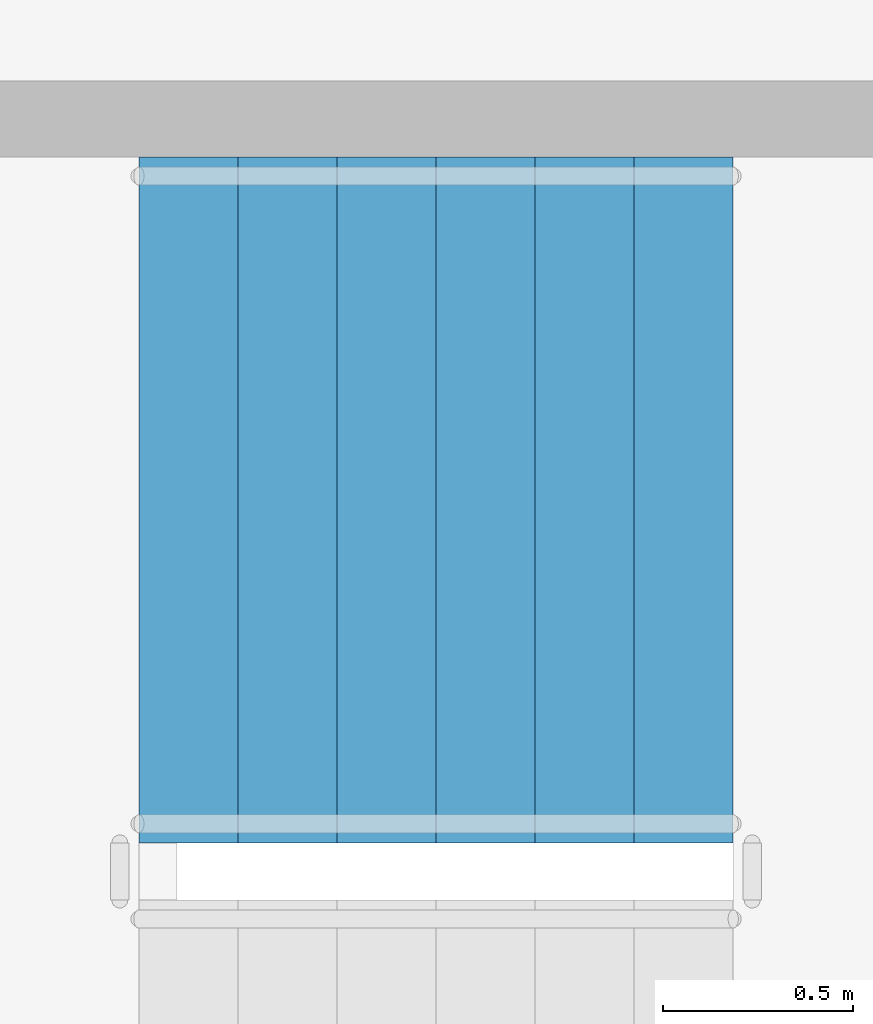
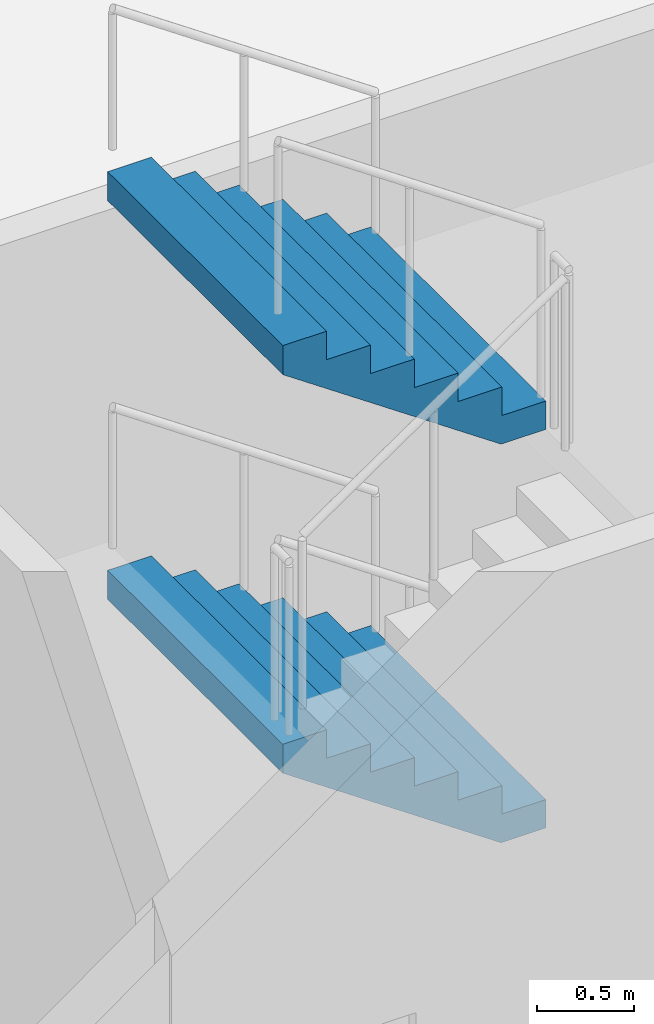
# One storey, part 29 of 59: 2 stair flights, 1 element without a shape of its own.
"""IFC4 building model written with IfcOpenShell, lengths in metres."""

from ifc_helpers import new_model, si_unit, direction, frame, origin, place, context, subcontext, project, spatial, faceted_brep, material, type_object, element, aggregate, save


model = new_model("IFC4")

# Units and contexts
model_context = context("Model", 3, precision=1e-05, world=origin(), true_north=direction((0.0, 1.0)))
body_context = subcontext(model_context, "Body", "Model", "MODEL_VIEW")
ifc_project = project(units=[si_unit("LENGTHUNIT", "METRE"), si_unit("AREAUNIT", "SQUARE_METRE"), si_unit("VOLUMEUNIT", "CUBIC_METRE"), si_unit("PLANEANGLEUNIT", "RADIAN"), si_unit("MASSUNIT", "GRAM", prefix="KILO")], contexts=[model_context])

# Site, building, storey
site_placement = place(None, origin())
site = spatial("IfcSite", under=ifc_project, at=site_placement, CompositionType="ELEMENT")
building_placement = place(site_placement, origin())
building = spatial("IfcBuilding", under=site, at=building_placement, Name="Ipe Terrace Towers", CompositionType="ELEMENT")
storey_placement = place(building_placement, frame((0.0, 0.0, 6.0)))
storey = spatial("IfcBuildingStorey", under=building, at=storey_placement, Name="L01", CompositionType="ELEMENT", Elevation=6.0)

# Stair, stair flights
ifc_material_1 = material(Name="Concrete C30/37", Category="concrete")
stair_type = type_object("IfcStairType", Name="Protected exit stair", PredefinedType="HALF_TURN_STAIR", material=ifc_material_1)
stair_placement = place(storey_placement, origin())
stair = element("IfcStair", 1, at=stair_placement, inside=storey, type_object=stair_type, Name="L01 Podium exit stair PS7", PredefinedType="HALF_TURN_STAIR")
ifc_material_2 = material(Name="Concrete C30/37", Category="concrete")
stair_flight_type = type_object("IfcStairFlightType", Name="Exit stair flight 1800", PredefinedType="STRAIGHT", material=ifc_material_2)
stair_flight_1_placement = place(storey_placement, frame((-64.6298828125, 4.449951171875, 1.25), z_axis=(0.0, 0.0, 1.0), x_axis=(-1.0, 0.0, 0.0)))
stair_flight_1 = element("IfcStairFlight", 2, at=stair_flight_1_placement, type_object=stair_flight_type, Name="PS7 flight 2", NumberOfRisers=7, NumberOfTreads=6, PredefinedType="STRAIGHT", RiserHeight=0.178571429, TreadLength=0.26, context=body_context, shape_type="Brep", body=[
    faceted_brep([(0.264892578125, -0.89990234375, 0.0), (1.56005859375, -0.89990234375, 0.8896484375), (1.56005859375, -0.89990234375, 1.071533203125), (1.300048828125, -0.89990234375, 1.071533203125), (1.300048828125, -0.89990234375, 0.892822265625), (1.0400390625, -0.89990234375, 0.892822265625), (1.0400390625, -0.89990234375, 0.71435546875), (0.780029296875, -0.89990234375, 0.71435546875), (0.780029296875, -0.89990234375, 0.53564453125), (0.52001953125, -0.89990234375, 0.53564453125), (0.52001953125, -0.89990234375, 0.357177734375), (0.260009765625, -0.89990234375, 0.357177734375), (0.260009765625, -0.89990234375, 0.178466796875), (0.0, -0.89990234375, 0.178466796875), (0.0, -0.89990234375, 0.0), (0.0, 0.89990234375, 0.0), (0.0, 0.89990234375, 0.178466796875), (0.260009765625, 0.89990234375, 0.178466796875), (0.260009765625, 0.89990234375, 0.357177734375), (0.52001953125, 0.89990234375, 0.357177734375), (0.52001953125, 0.89990234375, 0.53564453125), (0.780029296875, 0.89990234375, 0.53564453125), (0.780029296875, 0.89990234375, 0.71435546875), (1.0400390625, 0.89990234375, 0.71435546875), (1.0400390625, 0.89990234375, 0.892822265625), (1.300048828125, 0.89990234375, 0.892822265625), (1.300048828125, 0.89990234375, 1.071533203125), (1.56005859375, 0.89990234375, 1.071533203125), (1.56005859375, 0.89990234375, 0.8896484375), (0.264892578125, 0.89990234375, 0.0), (0.0, -0.300048828125, 0.178466796875), (0.0, -0.1201171875, 0.178466796875), (0.0, -0.06005859375, 0.178466796875), (0.0, -0.030029296875, 0.178466796875), (0.0, -0.010009765625, 0.178466796875), (0.0, 0.0, 0.178466796875), (0.0, 0.010009765625, 0.178466796875), (0.0, 0.030029296875, 0.178466796875), (0.0, 0.06005859375, 0.178466796875), (0.0, 0.1201171875, 0.178466796875), (0.0, 0.300048828125, 0.178466796875), (0.0, 0.300048828125, 0.0), (0.0, 0.1201171875, 0.0), (0.0, 0.06005859375, 0.0), (0.0, 0.030029296875, 0.0), (0.0, 0.010009765625, 0.0), (0.0, 0.0, 0.0), (0.0, -0.010009765625, 0.0), (0.0, -0.030029296875, 0.0), (0.0, -0.06005859375, 0.0), (0.0, -0.1201171875, 0.0), (0.0, -0.300048828125, 0.0), (0.260009765625, -0.300048828125, 0.178466796875), (0.260009765625, -0.1201171875, 0.178466796875), (0.260009765625, -0.06005859375, 0.178466796875), (0.260009765625, -0.030029296875, 0.178466796875), (0.260009765625, -0.010009765625, 0.178466796875), (0.260009765625, 0.0, 0.178466796875), (0.260009765625, 0.010009765625, 0.178466796875), (0.260009765625, 0.030029296875, 0.178466796875), (0.260009765625, 0.06005859375, 0.178466796875), (0.260009765625, 0.1201171875, 0.178466796875), (0.260009765625, 0.300048828125, 0.178466796875), (0.260009765625, -0.300048828125, 0.357177734375), (0.260009765625, -0.1201171875, 0.357177734375), (0.260009765625, -0.06005859375, 0.357177734375), (0.260009765625, -0.030029296875, 0.357177734375), (0.260009765625, -0.010009765625, 0.357177734375), (0.260009765625, 0.0, 0.357177734375), (0.260009765625, 0.010009765625, 0.357177734375), (0.260009765625, 0.030029296875, 0.357177734375), (0.260009765625, 0.06005859375, 0.357177734375), (0.260009765625, 0.1201171875, 0.357177734375), (0.260009765625, 0.300048828125, 0.357177734375), (0.52001953125, -0.300048828125, 0.357177734375), (0.52001953125, -0.1201171875, 0.357177734375), (0.52001953125, -0.06005859375, 0.357177734375), (0.52001953125, -0.030029296875, 0.357177734375), (0.52001953125, -0.010009765625, 0.357177734375), (0.52001953125, 0.0, 0.357177734375), (0.52001953125, 0.010009765625, 0.357177734375), (0.52001953125, 0.030029296875, 0.357177734375), (0.52001953125, 0.06005859375, 0.357177734375), (0.52001953125, 0.1201171875, 0.357177734375), (0.52001953125, 0.300048828125, 0.357177734375), (0.52001953125, -0.300048828125, 0.53564453125), (0.52001953125, -0.1201171875, 0.53564453125), (0.52001953125, -0.06005859375, 0.53564453125), (0.52001953125, -0.030029296875, 0.53564453125), (0.52001953125, -0.010009765625, 0.53564453125), (0.52001953125, 0.0, 0.53564453125), (0.52001953125, 0.010009765625, 0.53564453125), (0.52001953125, 0.030029296875, 0.53564453125), (0.52001953125, 0.06005859375, 0.53564453125), (0.52001953125, 0.1201171875, 0.53564453125), (0.52001953125, 0.300048828125, 0.53564453125), (0.780029296875, -0.300048828125, 0.53564453125), (0.780029296875, -0.1201171875, 0.53564453125), (0.780029296875, -0.06005859375, 0.53564453125), (0.780029296875, -0.030029296875, 0.53564453125), (0.780029296875, -0.010009765625, 0.53564453125), (0.780029296875, 0.0, 0.53564453125), (0.780029296875, 0.010009765625, 0.53564453125), (0.780029296875, 0.030029296875, 0.53564453125), (0.780029296875, 0.06005859375, 0.53564453125), (0.780029296875, 0.1201171875, 0.53564453125), (0.780029296875, 0.300048828125, 0.53564453125), (0.780029296875, -0.300048828125, 0.71435546875), (0.780029296875, -0.1201171875, 0.71435546875), (0.780029296875, -0.06005859375, 0.71435546875), (0.780029296875, -0.030029296875, 0.71435546875), (0.780029296875, -0.010009765625, 0.71435546875), (0.780029296875, 0.0, 0.71435546875), (0.780029296875, 0.010009765625, 0.71435546875), (0.780029296875, 0.030029296875, 0.71435546875), (0.780029296875, 0.06005859375, 0.71435546875), (0.780029296875, 0.1201171875, 0.71435546875), (0.780029296875, 0.300048828125, 0.71435546875), (1.0400390625, -0.300048828125, 0.71435546875), (1.0400390625, -0.1201171875, 0.71435546875), (1.0400390625, -0.06005859375, 0.71435546875), (1.0400390625, -0.030029296875, 0.71435546875), (1.0400390625, -0.010009765625, 0.71435546875), (1.0400390625, 0.0, 0.71435546875), (1.0400390625, 0.010009765625, 0.71435546875), (1.0400390625, 0.030029296875, 0.71435546875), (1.0400390625, 0.06005859375, 0.71435546875), (1.0400390625, 0.1201171875, 0.71435546875), (1.0400390625, 0.300048828125, 0.71435546875), (1.0400390625, -0.300048828125, 0.892822265625), (1.0400390625, -0.1201171875, 0.892822265625), (1.0400390625, -0.06005859375, 0.892822265625), (1.0400390625, -0.030029296875, 0.892822265625), (1.0400390625, -0.010009765625, 0.892822265625), (1.0400390625, 0.0, 0.892822265625), (1.0400390625, 0.010009765625, 0.892822265625), (1.0400390625, 0.030029296875, 0.892822265625), (1.0400390625, 0.06005859375, 0.892822265625), (1.0400390625, 0.1201171875, 0.892822265625), (1.0400390625, 0.300048828125, 0.892822265625), (1.300048828125, -0.300048828125, 0.892822265625), (1.300048828125, -0.1201171875, 0.892822265625), (1.300048828125, -0.06005859375, 0.892822265625), (1.300048828125, -0.030029296875, 0.892822265625), (1.300048828125, -0.010009765625, 0.892822265625), (1.300048828125, 0.0, 0.892822265625), (1.300048828125, 0.010009765625, 0.892822265625), (1.300048828125, 0.030029296875, 0.892822265625), (1.300048828125, 0.06005859375, 0.892822265625), (1.300048828125, 0.1201171875, 0.892822265625), (1.300048828125, 0.300048828125, 0.892822265625), (1.300048828125, -0.300048828125, 1.071533203125), (1.300048828125, -0.1201171875, 1.071533203125), (1.300048828125, -0.06005859375, 1.071533203125), (1.300048828125, -0.030029296875, 1.071533203125), (1.300048828125, -0.010009765625, 1.071533203125), (1.300048828125, 0.0, 1.071533203125), (1.300048828125, 0.010009765625, 1.071533203125), (1.300048828125, 0.030029296875, 1.071533203125), (1.300048828125, 0.06005859375, 1.071533203125), (1.300048828125, 0.1201171875, 1.071533203125), (1.300048828125, 0.300048828125, 1.071533203125), (1.56005859375, -0.300048828125, 1.071533203125), (1.56005859375, -0.1201171875, 1.071533203125), (1.56005859375, -0.06005859375, 1.071533203125), (1.56005859375, -0.030029296875, 1.071533203125), (1.56005859375, -0.010009765625, 1.071533203125), (1.56005859375, 0.0, 1.071533203125), (1.56005859375, 0.010009765625, 1.071533203125), (1.56005859375, 0.030029296875, 1.071533203125), (1.56005859375, 0.06005859375, 1.071533203125), (1.56005859375, 0.1201171875, 1.071533203125), (1.56005859375, 0.300048828125, 1.071533203125), (1.56005859375, -0.300048828125, 0.8896484375), (1.56005859375, -0.1201171875, 0.8896484375), (1.56005859375, -0.06005859375, 0.8896484375), (1.56005859375, -0.030029296875, 0.8896484375), (1.56005859375, -0.010009765625, 0.8896484375), (1.56005859375, 0.0, 0.8896484375), (1.56005859375, 0.010009765625, 0.8896484375), (1.56005859375, 0.030029296875, 0.8896484375), (1.56005859375, 0.06005859375, 0.8896484375), (1.56005859375, 0.1201171875, 0.8896484375), (1.56005859375, 0.300048828125, 0.8896484375), (0.264892578125, -0.300048828125, 0.0), (0.264892578125, -0.1201171875, 0.0), (0.264892578125, -0.06005859375, 0.0), (0.264892578125, -0.030029296875, 0.0), (0.264892578125, -0.010009765625, 0.0), (0.264892578125, 0.0, 0.0), (0.264892578125, 0.010009765625, 0.0), (0.264892578125, 0.030029296875, 0.0), (0.264892578125, 0.06005859375, 0.0), (0.264892578125, 0.1201171875, 0.0), (0.264892578125, 0.300048828125, 0.0)], [[[0, 1, 2, 3, 4, 5, 6, 7, 8, 9, 10, 11, 12, 13, 14]], [[15, 16, 17, 18, 19, 20, 21, 22, 23, 24, 25, 26, 27, 28, 29]], [[13, 30, 31, 32, 33, 34, 35, 36, 37, 38, 39, 40, 16, 15, 41, 42, 43, 44, 45, 46, 47, 48, 49, 50, 51, 14]], [[12, 52, 53, 54, 55, 56, 57, 58, 59, 60, 61, 62, 17, 16, 40, 39, 38, 37, 36, 35, 34, 33, 32, 31, 30, 13]], [[11, 63, 64, 65, 66, 67, 68, 69, 70, 71, 72, 73, 18, 17, 62, 61, 60, 59, 58, 57, 56, 55, 54, 53, 52, 12]], [[10, 74, 75, 76, 77, 78, 79, 80, 81, 82, 83, 84, 19, 18, 73, 72, 71, 70, 69, 68, 67, 66, 65, 64, 63, 11]], [[9, 85, 86, 87, 88, 89, 90, 91, 92, 93, 94, 95, 20, 19, 84, 83, 82, 81, 80, 79, 78, 77, 76, 75, 74, 10]], [[8, 96, 97, 98, 99, 100, 101, 102, 103, 104, 105, 106, 21, 20, 95, 94, 93, 92, 91, 90, 89, 88, 87, 86, 85, 9]], [[7, 107, 108, 109, 110, 111, 112, 113, 114, 115, 116, 117, 22, 21, 106, 105, 104, 103, 102, 101, 100, 99, 98, 97, 96, 8]], [[6, 118, 119, 120, 121, 122, 123, 124, 125, 126, 127, 128, 23, 22, 117, 116, 115, 114, 113, 112, 111, 110, 109, 108, 107, 7]], [[5, 129, 130, 131, 132, 133, 134, 135, 136, 137, 138, 139, 24, 23, 128, 127, 126, 125, 124, 123, 122, 121, 120, 119, 118, 6]], [[4, 140, 141, 142, 143, 144, 145, 146, 147, 148, 149, 150, 25, 24, 139, 138, 137, 136, 135, 134, 133, 132, 131, 130, 129, 5]], [[3, 151, 152, 153, 154, 155, 156, 157, 158, 159, 160, 161, 26, 25, 150, 149, 148, 147, 146, 145, 144, 143, 142, 141, 140, 4]], [[2, 162, 163, 164, 165, 166, 167, 168, 169, 170, 171, 172, 27, 26, 161, 160, 159, 158, 157, 156, 155, 154, 153, 152, 151, 3]], [[1, 173, 174, 175, 176, 177, 178, 179, 180, 181, 182, 183, 28, 27, 172, 171, 170, 169, 168, 167, 166, 165, 164, 163, 162, 2]], [[0, 184, 185, 186, 187, 188, 189, 190, 191, 192, 193, 194, 29, 28, 183, 182, 181, 180, 179, 178, 177, 176, 175, 174, 173, 1]], [[14, 51, 50, 49, 48, 47, 46, 45, 44, 43, 42, 41, 15, 29, 194, 193, 192, 191, 190, 189, 188, 187, 186, 185, 184, 0]]]),
])
stair_flight_2_placement = place(storey_placement, frame((-64.6298828125, 4.449951171875, 3.75), z_axis=(0.0, 0.0, 1.0), x_axis=(-1.0, 0.0, 0.0)))
stair_flight_2 = element("IfcStairFlight", 3, at=stair_flight_2_placement, type_object=stair_flight_type, Name="PS7 flight 4", NumberOfRisers=7, NumberOfTreads=6, PredefinedType="STRAIGHT", RiserHeight=0.178571429, TreadLength=0.26, context=body_context, shape_type="Brep", body=[
    faceted_brep([(0.264892578125, -0.89990234375, 0.0), (1.56005859375, -0.89990234375, 0.8896484375), (1.56005859375, -0.89990234375, 1.071533203125), (1.300048828125, -0.89990234375, 1.071533203125), (1.300048828125, -0.89990234375, 0.892822265625), (1.0400390625, -0.89990234375, 0.892822265625), (1.0400390625, -0.89990234375, 0.71435546875), (0.780029296875, -0.89990234375, 0.71435546875), (0.780029296875, -0.89990234375, 0.53564453125), (0.52001953125, -0.89990234375, 0.53564453125), (0.52001953125, -0.89990234375, 0.357177734375), (0.260009765625, -0.89990234375, 0.357177734375), (0.260009765625, -0.89990234375, 0.178466796875), (0.0, -0.89990234375, 0.178466796875), (0.0, -0.89990234375, 0.0), (0.0, 0.89990234375, 0.0), (0.0, 0.89990234375, 0.178466796875), (0.260009765625, 0.89990234375, 0.178466796875), (0.260009765625, 0.89990234375, 0.357177734375), (0.52001953125, 0.89990234375, 0.357177734375), (0.52001953125, 0.89990234375, 0.53564453125), (0.780029296875, 0.89990234375, 0.53564453125), (0.780029296875, 0.89990234375, 0.71435546875), (1.0400390625, 0.89990234375, 0.71435546875), (1.0400390625, 0.89990234375, 0.892822265625), (1.300048828125, 0.89990234375, 0.892822265625), (1.300048828125, 0.89990234375, 1.071533203125), (1.56005859375, 0.89990234375, 1.071533203125), (1.56005859375, 0.89990234375, 0.8896484375), (0.264892578125, 0.89990234375, 0.0), (0.0, -0.300048828125, 0.178466796875), (0.0, -0.1201171875, 0.178466796875), (0.0, -0.06005859375, 0.178466796875), (0.0, -0.030029296875, 0.178466796875), (0.0, -0.010009765625, 0.178466796875), (0.0, 0.0, 0.178466796875), (0.0, 0.010009765625, 0.178466796875), (0.0, 0.030029296875, 0.178466796875), (0.0, 0.06005859375, 0.178466796875), (0.0, 0.1201171875, 0.178466796875), (0.0, 0.300048828125, 0.178466796875), (0.0, 0.300048828125, 0.0), (0.0, 0.1201171875, 0.0), (0.0, 0.06005859375, 0.0), (0.0, 0.030029296875, 0.0), (0.0, 0.010009765625, 0.0), (0.0, 0.0, 0.0), (0.0, -0.010009765625, 0.0), (0.0, -0.030029296875, 0.0), (0.0, -0.06005859375, 0.0), (0.0, -0.1201171875, 0.0), (0.0, -0.300048828125, 0.0), (0.260009765625, -0.300048828125, 0.178466796875), (0.260009765625, -0.1201171875, 0.178466796875), (0.260009765625, -0.06005859375, 0.178466796875), (0.260009765625, -0.030029296875, 0.178466796875), (0.260009765625, -0.010009765625, 0.178466796875), (0.260009765625, 0.0, 0.178466796875), (0.260009765625, 0.010009765625, 0.178466796875), (0.260009765625, 0.030029296875, 0.178466796875), (0.260009765625, 0.06005859375, 0.178466796875), (0.260009765625, 0.1201171875, 0.178466796875), (0.260009765625, 0.300048828125, 0.178466796875), (0.260009765625, -0.300048828125, 0.357177734375), (0.260009765625, -0.1201171875, 0.357177734375), (0.260009765625, -0.06005859375, 0.357177734375), (0.260009765625, -0.030029296875, 0.357177734375), (0.260009765625, -0.010009765625, 0.357177734375), (0.260009765625, 0.0, 0.357177734375), (0.260009765625, 0.010009765625, 0.357177734375), (0.260009765625, 0.030029296875, 0.357177734375), (0.260009765625, 0.06005859375, 0.357177734375), (0.260009765625, 0.1201171875, 0.357177734375), (0.260009765625, 0.300048828125, 0.357177734375), (0.52001953125, -0.300048828125, 0.357177734375), (0.52001953125, -0.1201171875, 0.357177734375), (0.52001953125, -0.06005859375, 0.357177734375), (0.52001953125, -0.030029296875, 0.357177734375), (0.52001953125, -0.010009765625, 0.357177734375), (0.52001953125, 0.0, 0.357177734375), (0.52001953125, 0.010009765625, 0.357177734375), (0.52001953125, 0.030029296875, 0.357177734375), (0.52001953125, 0.06005859375, 0.357177734375), (0.52001953125, 0.1201171875, 0.357177734375), (0.52001953125, 0.300048828125, 0.357177734375), (0.52001953125, -0.300048828125, 0.53564453125), (0.52001953125, -0.1201171875, 0.53564453125), (0.52001953125, -0.06005859375, 0.53564453125), (0.52001953125, -0.030029296875, 0.53564453125), (0.52001953125, -0.010009765625, 0.53564453125), (0.52001953125, 0.0, 0.53564453125), (0.52001953125, 0.010009765625, 0.53564453125), (0.52001953125, 0.030029296875, 0.53564453125), (0.52001953125, 0.06005859375, 0.53564453125), (0.52001953125, 0.1201171875, 0.53564453125), (0.52001953125, 0.300048828125, 0.53564453125), (0.780029296875, -0.300048828125, 0.53564453125), (0.780029296875, -0.1201171875, 0.53564453125), (0.780029296875, -0.06005859375, 0.53564453125), (0.780029296875, -0.030029296875, 0.53564453125), (0.780029296875, -0.010009765625, 0.53564453125), (0.780029296875, 0.0, 0.53564453125), (0.780029296875, 0.010009765625, 0.53564453125), (0.780029296875, 0.030029296875, 0.53564453125), (0.780029296875, 0.06005859375, 0.53564453125), (0.780029296875, 0.1201171875, 0.53564453125), (0.780029296875, 0.300048828125, 0.53564453125), (0.780029296875, -0.300048828125, 0.71435546875), (0.780029296875, -0.1201171875, 0.71435546875), (0.780029296875, -0.06005859375, 0.71435546875), (0.780029296875, -0.030029296875, 0.71435546875), (0.780029296875, -0.010009765625, 0.71435546875), (0.780029296875, 0.0, 0.71435546875), (0.780029296875, 0.010009765625, 0.71435546875), (0.780029296875, 0.030029296875, 0.71435546875), (0.780029296875, 0.06005859375, 0.71435546875), (0.780029296875, 0.1201171875, 0.71435546875), (0.780029296875, 0.300048828125, 0.71435546875), (1.0400390625, -0.300048828125, 0.71435546875), (1.0400390625, -0.1201171875, 0.71435546875), (1.0400390625, -0.06005859375, 0.71435546875), (1.0400390625, -0.030029296875, 0.71435546875), (1.0400390625, -0.010009765625, 0.71435546875), (1.0400390625, 0.0, 0.71435546875), (1.0400390625, 0.010009765625, 0.71435546875), (1.0400390625, 0.030029296875, 0.71435546875), (1.0400390625, 0.06005859375, 0.71435546875), (1.0400390625, 0.1201171875, 0.71435546875), (1.0400390625, 0.300048828125, 0.71435546875), (1.0400390625, -0.300048828125, 0.892822265625), (1.0400390625, -0.1201171875, 0.892822265625), (1.0400390625, -0.06005859375, 0.892822265625), (1.0400390625, -0.030029296875, 0.892822265625), (1.0400390625, -0.010009765625, 0.892822265625), (1.0400390625, 0.0, 0.892822265625), (1.0400390625, 0.010009765625, 0.892822265625), (1.0400390625, 0.030029296875, 0.892822265625), (1.0400390625, 0.06005859375, 0.892822265625), (1.0400390625, 0.1201171875, 0.892822265625), (1.0400390625, 0.300048828125, 0.892822265625), (1.300048828125, -0.300048828125, 0.892822265625), (1.300048828125, -0.1201171875, 0.892822265625), (1.300048828125, -0.06005859375, 0.892822265625), (1.300048828125, -0.030029296875, 0.892822265625), (1.300048828125, -0.010009765625, 0.892822265625), (1.300048828125, 0.0, 0.892822265625), (1.300048828125, 0.010009765625, 0.892822265625), (1.300048828125, 0.030029296875, 0.892822265625), (1.300048828125, 0.06005859375, 0.892822265625), (1.300048828125, 0.1201171875, 0.892822265625), (1.300048828125, 0.300048828125, 0.892822265625), (1.300048828125, -0.300048828125, 1.071533203125), (1.300048828125, -0.1201171875, 1.071533203125), (1.300048828125, -0.06005859375, 1.071533203125), (1.300048828125, -0.030029296875, 1.071533203125), (1.300048828125, -0.010009765625, 1.071533203125), (1.300048828125, 0.0, 1.071533203125), (1.300048828125, 0.010009765625, 1.071533203125), (1.300048828125, 0.030029296875, 1.071533203125), (1.300048828125, 0.06005859375, 1.071533203125), (1.300048828125, 0.1201171875, 1.071533203125), (1.300048828125, 0.300048828125, 1.071533203125), (1.56005859375, -0.300048828125, 1.071533203125), (1.56005859375, -0.1201171875, 1.071533203125), (1.56005859375, -0.06005859375, 1.071533203125), (1.56005859375, -0.030029296875, 1.071533203125), (1.56005859375, -0.010009765625, 1.071533203125), (1.56005859375, 0.0, 1.071533203125), (1.56005859375, 0.010009765625, 1.071533203125), (1.56005859375, 0.030029296875, 1.071533203125), (1.56005859375, 0.06005859375, 1.071533203125), (1.56005859375, 0.1201171875, 1.071533203125), (1.56005859375, 0.300048828125, 1.071533203125), (1.56005859375, -0.300048828125, 0.8896484375), (1.56005859375, -0.1201171875, 0.8896484375), (1.56005859375, -0.06005859375, 0.8896484375), (1.56005859375, -0.030029296875, 0.8896484375), (1.56005859375, -0.010009765625, 0.8896484375), (1.56005859375, 0.0, 0.8896484375), (1.56005859375, 0.010009765625, 0.8896484375), (1.56005859375, 0.030029296875, 0.8896484375), (1.56005859375, 0.06005859375, 0.8896484375), (1.56005859375, 0.1201171875, 0.8896484375), (1.56005859375, 0.300048828125, 0.8896484375), (0.264892578125, -0.300048828125, 0.0), (0.264892578125, -0.1201171875, 0.0), (0.264892578125, -0.06005859375, 0.0), (0.264892578125, -0.030029296875, 0.0), (0.264892578125, -0.010009765625, 0.0), (0.264892578125, 0.0, 0.0), (0.264892578125, 0.010009765625, 0.0), (0.264892578125, 0.030029296875, 0.0), (0.264892578125, 0.06005859375, 0.0), (0.264892578125, 0.1201171875, 0.0), (0.264892578125, 0.300048828125, 0.0)], [[[0, 1, 2, 3, 4, 5, 6, 7, 8, 9, 10, 11, 12, 13, 14]], [[15, 16, 17, 18, 19, 20, 21, 22, 23, 24, 25, 26, 27, 28, 29]], [[13, 30, 31, 32, 33, 34, 35, 36, 37, 38, 39, 40, 16, 15, 41, 42, 43, 44, 45, 46, 47, 48, 49, 50, 51, 14]], [[12, 52, 53, 54, 55, 56, 57, 58, 59, 60, 61, 62, 17, 16, 40, 39, 38, 37, 36, 35, 34, 33, 32, 31, 30, 13]], [[11, 63, 64, 65, 66, 67, 68, 69, 70, 71, 72, 73, 18, 17, 62, 61, 60, 59, 58, 57, 56, 55, 54, 53, 52, 12]], [[10, 74, 75, 76, 77, 78, 79, 80, 81, 82, 83, 84, 19, 18, 73, 72, 71, 70, 69, 68, 67, 66, 65, 64, 63, 11]], [[9, 85, 86, 87, 88, 89, 90, 91, 92, 93, 94, 95, 20, 19, 84, 83, 82, 81, 80, 79, 78, 77, 76, 75, 74, 10]], [[8, 96, 97, 98, 99, 100, 101, 102, 103, 104, 105, 106, 21, 20, 95, 94, 93, 92, 91, 90, 89, 88, 87, 86, 85, 9]], [[7, 107, 108, 109, 110, 111, 112, 113, 114, 115, 116, 117, 22, 21, 106, 105, 104, 103, 102, 101, 100, 99, 98, 97, 96, 8]], [[6, 118, 119, 120, 121, 122, 123, 124, 125, 126, 127, 128, 23, 22, 117, 116, 115, 114, 113, 112, 111, 110, 109, 108, 107, 7]], [[5, 129, 130, 131, 132, 133, 134, 135, 136, 137, 138, 139, 24, 23, 128, 127, 126, 125, 124, 123, 122, 121, 120, 119, 118, 6]], [[4, 140, 141, 142, 143, 144, 145, 146, 147, 148, 149, 150, 25, 24, 139, 138, 137, 136, 135, 134, 133, 132, 131, 130, 129, 5]], [[3, 151, 152, 153, 154, 155, 156, 157, 158, 159, 160, 161, 26, 25, 150, 149, 148, 147, 146, 145, 144, 143, 142, 141, 140, 4]], [[2, 162, 163, 164, 165, 166, 167, 168, 169, 170, 171, 172, 27, 26, 161, 160, 159, 158, 157, 156, 155, 154, 153, 152, 151, 3]], [[1, 173, 174, 175, 176, 177, 178, 179, 180, 181, 182, 183, 28, 27, 172, 171, 170, 169, 168, 167, 166, 165, 164, 163, 162, 2]], [[0, 184, 185, 186, 187, 188, 189, 190, 191, 192, 193, 194, 29, 28, 183, 182, 181, 180, 179, 178, 177, 176, 175, 174, 173, 1]], [[14, 51, 50, 49, 48, 47, 46, 45, 44, 43, 42, 41, 15, 29, 194, 193, 192, 191, 190, 189, 188, 187, 186, 185, 184, 0]]]),
])
aggregate(stair, [stair_flight_1, stair_flight_2])

save(model, "model.ifc")
